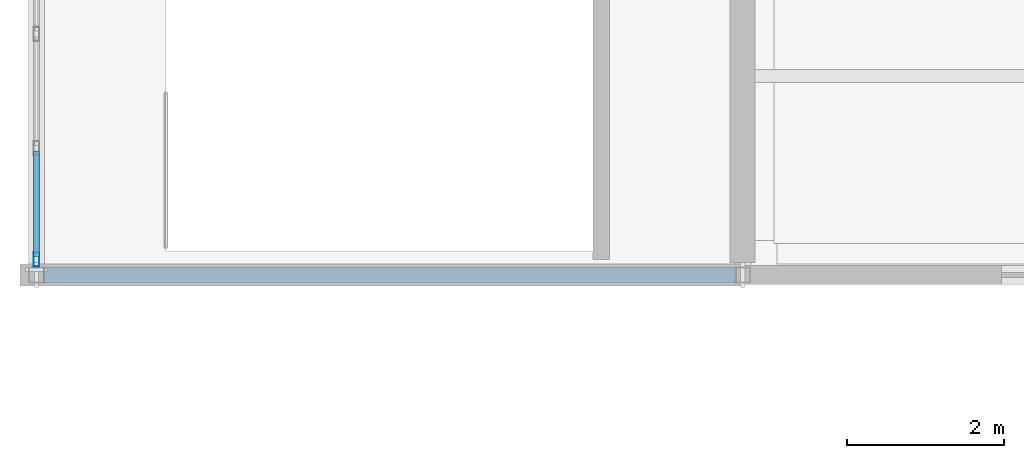
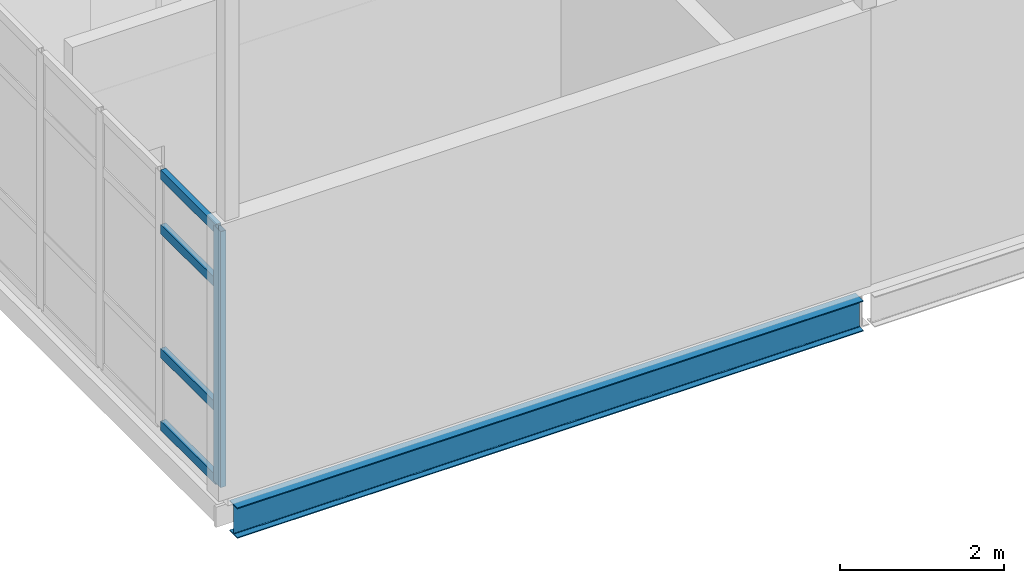
# One storey, part 15 of 96: 5 members, 1 beam, 1 element without a shape of its own.
"""IFC4 building model written with IfcOpenShell, lengths in metres."""

from ifc_helpers import new_model, si_unit, direction, frame, origin, origin_2d, place, context, subcontext, project, spatial, hollow_rectangle, i_section, extrude, material, material_profile, profile_set, type_object, element, aggregate, save


model = new_model("IFC4")

# Units and contexts
model_context = context("Model", 3, precision=1e-05, world=origin(), true_north=direction((0.0, 1.0)))
body_context = subcontext(model_context, "Body", "Model", "MODEL_VIEW")
ifc_project = project(units=[si_unit("LENGTHUNIT", "METRE"), si_unit("AREAUNIT", "SQUARE_METRE"), si_unit("VOLUMEUNIT", "CUBIC_METRE"), si_unit("PLANEANGLEUNIT", "RADIAN"), si_unit("MASSUNIT", "GRAM", prefix="KILO")], contexts=[model_context])

# Site, building, storey
site_placement = place(None, origin())
site = spatial("IfcSite", under=ifc_project, at=site_placement, CompositionType="ELEMENT")
building_placement = place(site_placement, origin())
building = spatial("IfcBuilding", under=site, at=building_placement, Name="Caisbarro Railhouse Central Library", CompositionType="ELEMENT")
storey_placement = place(building_placement, frame((0.0, 0.0, 13.679931640625)))
storey = spatial("IfcBuildingStorey", under=building, at=storey_placement, Name="L03", CompositionType="ELEMENT", Elevation=13.679931640625)

# Beam
ifc_material_1 = material(Name="Steel ASTM A572 Grade 50", Category="steel")
ifc_material_profile_1 = material_profile(ifc_material_1, i_section(OverallWidth=0.18994140625, OverallDepth=0.45703125, WebThickness=0.009033203125, FlangeThickness=0.014404296875, FilletRadius=0.01806640625, at=origin_2d()), Name="W460X74.0")
ifc_profile_set_1 = profile_set([ifc_material_profile_1], Name="Steel ASTM A572 Grade 50")
beam_type = type_object("IfcBeamType", Name="BM-SP01", PredefinedType="SPANDREL", material=ifc_profile_set_1)
beam_placement = place(storey_placement, frame((0.080078125, 30.39990234375, -0.448486328125), z_axis=(1.0, 0.0, 0.0), x_axis=(0.0, 1.0, 0.0)))
element("IfcBeam", 1, at=beam_placement, inside=storey, type_object=beam_type, Name="SP01 beam L03 #1828", PredefinedType="SPANDREL", context=body_context, shape_type="SweptSolid", body=[
    extrude(i_section(OverallWidth=0.18994140625, OverallDepth=0.45703125, WebThickness=0.009033203125, FlangeThickness=0.014404296875, FilletRadius=0.01806640625, at=origin_2d()), origin(), (0.0, 0.0, 1.0), 8.83984375),
])

# Curtain wall, members
ifc_material_2 = material(Name="Anodised architectural aluminium", Category="aluminium")
curtain_wall_type = type_object("IfcCurtainWallType", Name="CW-CW02", PredefinedType="NOTDEFINED", material=ifc_material_2)
curtain_wall_placement = place(storey_placement, origin())
curtain_wall = element("IfcCurtainWall", 2, at=curtain_wall_placement, inside=storey, type_object=curtain_wall_type, Name="CW02 curtain wall L03 #48", PredefinedType="NOTDEFINED")
ifc_material_profile_2 = material_profile(ifc_material_2, hollow_rectangle(XDim=0.074951171875, YDim=0.179931640625, WallThickness=0.00439453125, at=origin_2d()), Name="ALU-MUL-75X180")
ifc_profile_set_2 = profile_set([ifc_material_profile_2], Name="Anodised architectural aluminium")
member_type_1 = type_object("IfcMemberType", Name="CWM-M01", PredefinedType="MULLION", material=ifc_profile_set_2)
member_1_placement = place(storey_placement, frame((0.0, 30.597412109375, 0.0), z_axis=(0.0, 0.0, 1.0), x_axis=(-1.0, 0.0, 0.0)))
member_1 = element("IfcMember", 3, at=member_1_placement, type_object=member_type_1, Name="CW02 mullion 1", PredefinedType="MULLION", context=body_context, shape_type="SweptSolid", body=[
    extrude(hollow_rectangle(XDim=0.074951171875, YDim=0.179931640625, WallThickness=0.00439453125, at=origin_2d()), origin(), (0.0, 0.0, 1.0), 3.820068359375),
])
ifc_material_profile_3 = material_profile(ifc_material_2, hollow_rectangle(XDim=0.074951171875, YDim=0.139892578125, WallThickness=0.00390625, at=origin_2d()), Name="ALU-TRN-75X140")
ifc_profile_set_3 = profile_set([ifc_material_profile_3], Name="Anodised architectural aluminium")
member_type_2 = type_object("IfcMemberType", Name="CWT-T01", PredefinedType="USERDEFINED", material=ifc_profile_set_3)
member_2_placement = place(storey_placement, frame((0.0, 30.635009765625, 0.03759765625), z_axis=(0.0, 1.0, 0.0), x_axis=(-1.0, 0.0, 0.0)))
member_2 = element("IfcMember", 4, at=member_2_placement, type_object=member_type_2, Name="CW02 transom 1.1", ObjectType="TRANSOM", PredefinedType="USERDEFINED", context=body_context, shape_type="SweptSolid", body=[
    extrude(hollow_rectangle(XDim=0.074951171875, YDim=0.139892578125, WallThickness=0.00390625, at=origin_2d()), origin(), (0.0, 0.0, 1.0), 1.343505859375),
])
member_3_placement = place(storey_placement, frame((0.0, 30.635009765625, 1.1201171875), z_axis=(0.0, 1.0, 0.0), x_axis=(-1.0, 0.0, 0.0)))
member_3 = element("IfcMember", 5, at=member_3_placement, type_object=member_type_2, Name="CW02 transom 1.2", ObjectType="TRANSOM", PredefinedType="USERDEFINED", context=body_context, shape_type="SweptSolid", body=[
    extrude(hollow_rectangle(XDim=0.074951171875, YDim=0.139892578125, WallThickness=0.00390625, at=origin_2d()), origin(), (0.0, 0.0, 1.0), 1.343505859375),
])
member_4_placement = place(storey_placement, frame((0.0, 30.635009765625, 2.969970703125), z_axis=(0.0, 1.0, 0.0), x_axis=(-1.0, 0.0, 0.0)))
member_4 = element("IfcMember", 6, at=member_4_placement, type_object=member_type_2, Name="CW02 transom 1.3", ObjectType="TRANSOM", PredefinedType="USERDEFINED", context=body_context, shape_type="SweptSolid", body=[
    extrude(hollow_rectangle(XDim=0.074951171875, YDim=0.139892578125, WallThickness=0.00390625, at=origin_2d()), origin(), (0.0, 0.0, 1.0), 1.343505859375),
])
member_5_placement = place(storey_placement, frame((0.0, 30.635009765625, 3.782470703125), z_axis=(0.0, 1.0, 0.0), x_axis=(-1.0, 0.0, 0.0)))
member_5 = element("IfcMember", 7, at=member_5_placement, type_object=member_type_2, Name="CW02 transom 1.4", ObjectType="TRANSOM", PredefinedType="USERDEFINED", context=body_context, shape_type="SweptSolid", body=[
    extrude(hollow_rectangle(XDim=0.074951171875, YDim=0.139892578125, WallThickness=0.00390625, at=origin_2d()), origin(), (0.0, 0.0, 1.0), 1.343505859375),
])
aggregate(curtain_wall, [member_1, member_2, member_3, member_4, member_5])

save(model, "model.ifc")
